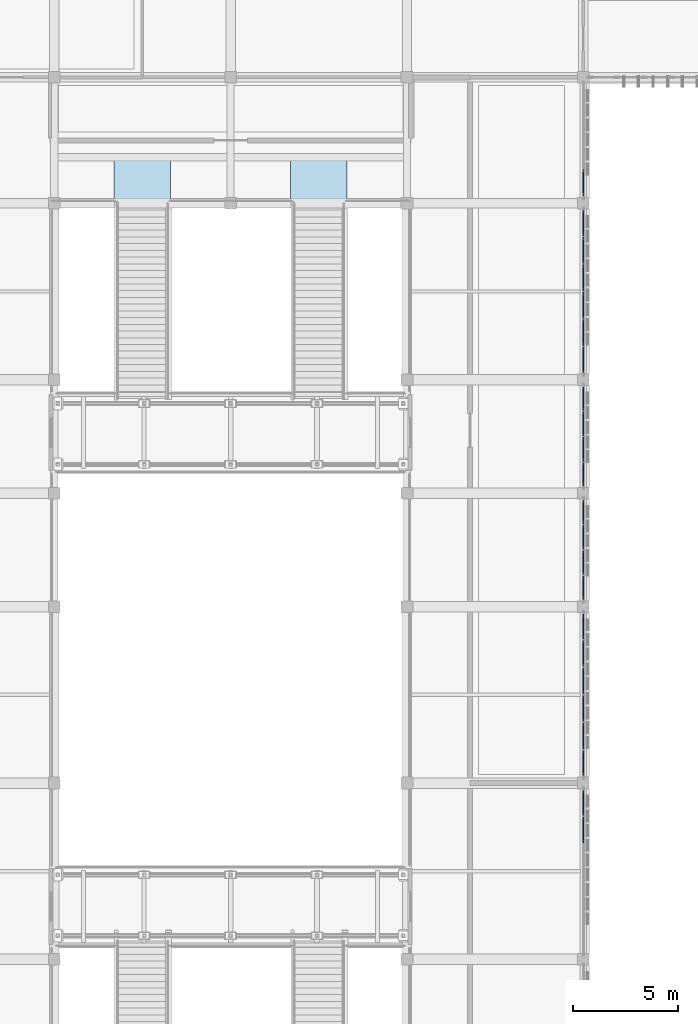
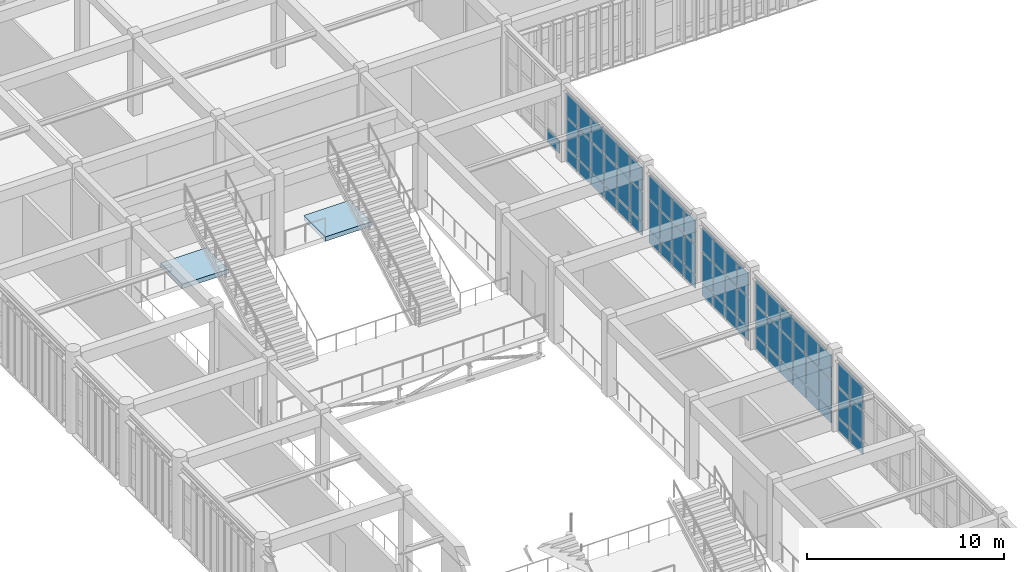
# One storey, part 72 of 106: 67 plates, 2 slabs, 6 elements without a shape of their own.
"""IFC4 building model written with IfcOpenShell, lengths in metres."""

from ifc_helpers import new_model, si_unit, direction, frame, origin, origin_2d, place, context, subcontext, project, spatial, polyline, rectangle, outline, extrude, material, layer, layer_set, type_object, element, aggregate, save


model = new_model("IFC4")

# Units and contexts
model_context = context("Model", 3, precision=1e-05, world=origin(), true_north=direction((0.0, 1.0)))
body_context = subcontext(model_context, "Body", "Model", "MODEL_VIEW")
ifc_project = project(units=[si_unit("LENGTHUNIT", "METRE"), si_unit("AREAUNIT", "SQUARE_METRE"), si_unit("VOLUMEUNIT", "CUBIC_METRE"), si_unit("PLANEANGLEUNIT", "RADIAN"), si_unit("MASSUNIT", "GRAM", prefix="KILO")], contexts=[model_context])

# Site, building, storey
site_placement = place(None, origin())
site = spatial("IfcSite", under=ifc_project, at=site_placement, CompositionType="ELEMENT")
building_placement = place(site_placement, origin())
building = spatial("IfcBuilding", under=site, at=building_placement, Name="Krzemoval Escarpment Law Courts", CompositionType="ELEMENT")
storey_placement = place(building_placement, frame((0.0, 0.0, 5.10009765625)))
storey = spatial("IfcBuildingStorey", under=building, at=storey_placement, Name="L01", CompositionType="ELEMENT", Elevation=5.10009765625)

# Curtain wall, plate
ifc_material_1 = material(Name="Aluminium 6063-T6", Category="aluminium")
ifc_layer_1 = layer(ifc_material_1, 0.280029296875)
ifc_layer_set_1 = layer_set([ifc_layer_1], Name="Aluminium 6063-T6")
curtain_wall_type = type_object("IfcCurtainWallType", Name="CW-HALL-5100", PredefinedType="USERDEFINED", material=ifc_layer_set_1)
curtain_wall_1_placement = place(storey_placement, origin())
curtain_wall_1 = element("IfcCurtainWall", 1, at=curtain_wall_1_placement, inside=storey, type_object=curtain_wall_type, Name="Unitised Curtain Wall FCW-L01-056", ObjectType="UNITISED_CURTAIN_WALL", PredefinedType="USERDEFINED")
ifc_material_2 = material(Name="Triple Glazing IGU", Category="glass")
ifc_layer_2 = layer(ifc_material_2, 0.053955078125)
ifc_layer_set_2 = layer_set([ifc_layer_2], Name="Triple Glazing IGU")
plate_type = type_object("IfcPlateType", Name="CWP-GLZ-54", PredefinedType="CURTAIN_PANEL", material=ifc_layer_set_2)
plate_1_placement = place(storey_placement, frame((42.0, 94.577392578125, 0.0849609375), z_axis=(0.0, 0.0, 1.0), x_axis=(0.0, -1.0, 0.0)))
plate_1 = element("IfcPlate", 2, at=plate_1_placement, type_object=plate_type, Name="FCW-L01-056 panel 4.1", PredefinedType="CURTAIN_PANEL", context=body_context, shape_type="SweptSolid", body=[
    extrude(rectangle(XDim=1.235107421875, YDim=0.053955078125, at=origin_2d()), origin(), (0.0, 0.0, 1.0), 0.7724609375),
])
aggregate(curtain_wall_1, [plate_1])

# Curtain wall, plates
curtain_wall_2_placement = place(storey_placement, origin())
curtain_wall_2 = element("IfcCurtainWall", 3, at=curtain_wall_2_placement, inside=storey, type_object=curtain_wall_type, Name="Unitised Curtain Wall FCW-L01-057", ObjectType="UNITISED_CURTAIN_WALL", PredefinedType="USERDEFINED")
plate_2_placement = place(storey_placement, frame((42.0, 92.649658203125, 0.0849609375), z_axis=(0.0, 0.0, 1.0), x_axis=(0.0, -1.0, 0.0)))
plate_2 = element("IfcPlate", 4, at=plate_2_placement, type_object=plate_type, Name="FCW-L01-057 panel 1.1", PredefinedType="CURTAIN_PANEL", context=body_context, shape_type="SweptSolid", body=[
    extrude(rectangle(XDim=1.180908203125, YDim=0.053955078125, at=origin_2d()), origin(), (0.0, 0.0, 1.0), 0.7724609375),
])
plate_3_placement = place(storey_placement, frame((42.0, 92.649658203125, 0.9423828125), z_axis=(0.0, 0.0, 1.0), x_axis=(0.0, -1.0, 0.0)))
plate_3 = element("IfcPlate", 5, at=plate_3_placement, type_object=plate_type, Name="FCW-L01-057 panel 1.2", PredefinedType="CURTAIN_PANEL", context=body_context, shape_type="SweptSolid", body=[
    extrude(rectangle(XDim=1.180908203125, YDim=0.053955078125, at=origin_2d()), origin(), (0.0, 0.0, 1.0), 1.81494140625),
])
plate_4_placement = place(storey_placement, frame((42.0, 92.649658203125, 2.842529296875), z_axis=(0.0, 0.0, 1.0), x_axis=(0.0, -1.0, 0.0)))
plate_4 = element("IfcPlate", 6, at=plate_4_placement, type_object=plate_type, Name="FCW-L01-057 panel 1.3", PredefinedType="CURTAIN_PANEL", context=body_context, shape_type="SweptSolid", body=[
    extrude(rectangle(XDim=1.180908203125, YDim=0.053955078125, at=origin_2d()), origin(), (0.0, 0.0, 1.0), 1.4423828125),
])
plate_5_placement = place(storey_placement, frame((42.0, 91.362548828125, 0.0849609375), z_axis=(0.0, 0.0, 1.0), x_axis=(0.0, -1.0, 0.0)))
plate_5 = element("IfcPlate", 7, at=plate_5_placement, type_object=plate_type, Name="FCW-L01-057 panel 2.1", PredefinedType="CURTAIN_PANEL", context=body_context, shape_type="SweptSolid", body=[
    extrude(rectangle(XDim=1.223388671875, YDim=0.053955078125, at=origin_2d()), origin(), (0.0, 0.0, 1.0), 0.7724609375),
])
plate_6_placement = place(storey_placement, frame((42.0, 91.362548828125, 0.9423828125), z_axis=(0.0, 0.0, 1.0), x_axis=(0.0, -1.0, 0.0)))
plate_6 = element("IfcPlate", 8, at=plate_6_placement, type_object=plate_type, Name="FCW-L01-057 panel 2.2", PredefinedType="CURTAIN_PANEL", context=body_context, shape_type="SweptSolid", body=[
    extrude(rectangle(XDim=1.223388671875, YDim=0.053955078125, at=origin_2d()), origin(), (0.0, 0.0, 1.0), 1.81494140625),
])
plate_7_placement = place(storey_placement, frame((42.0, 91.362548828125, 2.842529296875), z_axis=(0.0, 0.0, 1.0), x_axis=(0.0, -1.0, 0.0)))
plate_7 = element("IfcPlate", 9, at=plate_7_placement, type_object=plate_type, Name="FCW-L01-057 panel 2.3", PredefinedType="CURTAIN_PANEL", context=body_context, shape_type="SweptSolid", body=[
    extrude(rectangle(XDim=1.223388671875, YDim=0.053955078125, at=origin_2d()), origin(), (0.0, 0.0, 1.0), 1.4423828125),
])
plate_8_placement = place(storey_placement, frame((42.0, 90.05419921875, 0.0849609375), z_axis=(0.0, 0.0, 1.0), x_axis=(0.0, -1.0, 0.0)))
plate_8 = element("IfcPlate", 10, at=plate_8_placement, type_object=plate_type, Name="FCW-L01-057 panel 3.1", PredefinedType="CURTAIN_PANEL", context=body_context, shape_type="SweptSolid", body=[
    extrude(rectangle(XDim=1.223388671875, YDim=0.053955078125, at=origin_2d()), origin(), (0.0, 0.0, 1.0), 0.7724609375),
])
plate_9_placement = place(storey_placement, frame((42.0, 90.05419921875, 0.9423828125), z_axis=(0.0, 0.0, 1.0), x_axis=(0.0, -1.0, 0.0)))
plate_9 = element("IfcPlate", 11, at=plate_9_placement, type_object=plate_type, Name="FCW-L01-057 panel 3.2", PredefinedType="CURTAIN_PANEL", context=body_context, shape_type="SweptSolid", body=[
    extrude(rectangle(XDim=1.223388671875, YDim=0.053955078125, at=origin_2d()), origin(), (0.0, 0.0, 1.0), 1.81494140625),
])
plate_10_placement = place(storey_placement, frame((42.0, 90.05419921875, 2.842529296875), z_axis=(0.0, 0.0, 1.0), x_axis=(0.0, -1.0, 0.0)))
plate_10 = element("IfcPlate", 12, at=plate_10_placement, type_object=plate_type, Name="FCW-L01-057 panel 3.3", PredefinedType="CURTAIN_PANEL", context=body_context, shape_type="SweptSolid", body=[
    extrude(rectangle(XDim=1.223388671875, YDim=0.053955078125, at=origin_2d()), origin(), (0.0, 0.0, 1.0), 1.4423828125),
])
plate_11_placement = place(storey_placement, frame((42.0, 88.745849609375, 0.0849609375), z_axis=(0.0, 0.0, 1.0), x_axis=(0.0, -1.0, 0.0)))
plate_11 = element("IfcPlate", 13, at=plate_11_placement, type_object=plate_type, Name="FCW-L01-057 panel 4.1", PredefinedType="CURTAIN_PANEL", context=body_context, shape_type="SweptSolid", body=[
    extrude(rectangle(XDim=1.223388671875, YDim=0.053955078125, at=origin_2d()), origin(), (0.0, 0.0, 1.0), 0.7724609375),
])
plate_12_placement = place(storey_placement, frame((42.0, 88.745849609375, 0.9423828125), z_axis=(0.0, 0.0, 1.0), x_axis=(0.0, -1.0, 0.0)))
plate_12 = element("IfcPlate", 14, at=plate_12_placement, type_object=plate_type, Name="FCW-L01-057 panel 4.2", PredefinedType="CURTAIN_PANEL", context=body_context, shape_type="SweptSolid", body=[
    extrude(rectangle(XDim=1.223388671875, YDim=0.053955078125, at=origin_2d()), origin(), (0.0, 0.0, 1.0), 1.81494140625),
])
plate_13_placement = place(storey_placement, frame((42.0, 88.745849609375, 2.842529296875), z_axis=(0.0, 0.0, 1.0), x_axis=(0.0, -1.0, 0.0)))
plate_13 = element("IfcPlate", 15, at=plate_13_placement, type_object=plate_type, Name="FCW-L01-057 panel 4.3", PredefinedType="CURTAIN_PANEL", context=body_context, shape_type="SweptSolid", body=[
    extrude(rectangle(XDim=1.223388671875, YDim=0.053955078125, at=origin_2d()), origin(), (0.0, 0.0, 1.0), 1.4423828125),
])
plate_14_placement = place(storey_placement, frame((42.0, 87.4375, 0.0849609375), z_axis=(0.0, 0.0, 1.0), x_axis=(0.0, -1.0, 0.0)))
plate_14 = element("IfcPlate", 16, at=plate_14_placement, type_object=plate_type, Name="FCW-L01-057 panel 5.1", PredefinedType="CURTAIN_PANEL", context=body_context, shape_type="SweptSolid", body=[
    extrude(rectangle(XDim=1.223388671875, YDim=0.053955078125, at=origin_2d()), origin(), (0.0, 0.0, 1.0), 0.7724609375),
])
plate_15_placement = place(storey_placement, frame((42.0, 87.4375, 0.9423828125), z_axis=(0.0, 0.0, 1.0), x_axis=(0.0, -1.0, 0.0)))
plate_15 = element("IfcPlate", 17, at=plate_15_placement, type_object=plate_type, Name="FCW-L01-057 panel 5.2", PredefinedType="CURTAIN_PANEL", context=body_context, shape_type="SweptSolid", body=[
    extrude(rectangle(XDim=1.223388671875, YDim=0.053955078125, at=origin_2d()), origin(), (0.0, 0.0, 1.0), 1.81494140625),
])
plate_16_placement = place(storey_placement, frame((42.0, 87.4375, 2.842529296875), z_axis=(0.0, 0.0, 1.0), x_axis=(0.0, -1.0, 0.0)))
plate_16 = element("IfcPlate", 18, at=plate_16_placement, type_object=plate_type, Name="FCW-L01-057 panel 5.3", PredefinedType="CURTAIN_PANEL", context=body_context, shape_type="SweptSolid", body=[
    extrude(rectangle(XDim=1.223388671875, YDim=0.053955078125, at=origin_2d()), origin(), (0.0, 0.0, 1.0), 1.4423828125),
])
plate_17_placement = place(storey_placement, frame((42.0, 86.150390625, 0.0849609375), z_axis=(0.0, 0.0, 1.0), x_axis=(0.0, -1.0, 0.0)))
plate_17 = element("IfcPlate", 19, at=plate_17_placement, type_object=plate_type, Name="FCW-L01-057 panel 6.1", PredefinedType="CURTAIN_PANEL", context=body_context, shape_type="SweptSolid", body=[
    extrude(rectangle(XDim=1.180908203125, YDim=0.053955078125, at=origin_2d()), origin(), (0.0, 0.0, 1.0), 0.7724609375),
])
plate_18_placement = place(storey_placement, frame((42.0, 86.150390625, 0.9423828125), z_axis=(0.0, 0.0, 1.0), x_axis=(0.0, -1.0, 0.0)))
plate_18 = element("IfcPlate", 20, at=plate_18_placement, type_object=plate_type, Name="FCW-L01-057 panel 6.2", PredefinedType="CURTAIN_PANEL", context=body_context, shape_type="SweptSolid", body=[
    extrude(rectangle(XDim=1.180908203125, YDim=0.053955078125, at=origin_2d()), origin(), (0.0, 0.0, 1.0), 1.81494140625),
])
plate_19_placement = place(storey_placement, frame((42.0, 86.150390625, 2.842529296875), z_axis=(0.0, 0.0, 1.0), x_axis=(0.0, -1.0, 0.0)))
plate_19 = element("IfcPlate", 21, at=plate_19_placement, type_object=plate_type, Name="FCW-L01-057 panel 6.3", PredefinedType="CURTAIN_PANEL", context=body_context, shape_type="SweptSolid", body=[
    extrude(rectangle(XDim=1.180908203125, YDim=0.053955078125, at=origin_2d()), origin(), (0.0, 0.0, 1.0), 1.4423828125),
])
aggregate(curtain_wall_2, [plate_2, plate_3, plate_4, plate_5, plate_6, plate_7, plate_8, plate_9, plate_10, plate_11, plate_12, plate_13, plate_14, plate_15, plate_16, plate_17, plate_18, plate_19])

curtain_wall_3_placement = place(storey_placement, origin())
curtain_wall_3 = element("IfcCurtainWall", 22, at=curtain_wall_3_placement, inside=storey, type_object=curtain_wall_type, Name="Unitised Curtain Wall FCW-L01-058", ObjectType="UNITISED_CURTAIN_WALL", PredefinedType="USERDEFINED")
plate_20_placement = place(storey_placement, frame((42.0, 84.297607421875, 0.0849609375), z_axis=(0.0, 0.0, 1.0), x_axis=(0.0, -1.0, 0.0)))
plate_20 = element("IfcPlate", 23, at=plate_20_placement, type_object=plate_type, Name="FCW-L01-058 panel 1.1", PredefinedType="CURTAIN_PANEL", context=body_context, shape_type="SweptSolid", body=[
    extrude(rectangle(XDim=1.0849609375, YDim=0.053955078125, at=origin_2d()), origin(), (0.0, 0.0, 1.0), 0.7724609375),
])
plate_21_placement = place(storey_placement, frame((42.0, 84.297607421875, 0.9423828125), z_axis=(0.0, 0.0, 1.0), x_axis=(0.0, -1.0, 0.0)))
plate_21 = element("IfcPlate", 24, at=plate_21_placement, type_object=plate_type, Name="FCW-L01-058 panel 1.2", PredefinedType="CURTAIN_PANEL", context=body_context, shape_type="SweptSolid", body=[
    extrude(rectangle(XDim=1.0849609375, YDim=0.053955078125, at=origin_2d()), origin(), (0.0, 0.0, 1.0), 1.81494140625),
])
plate_22_placement = place(storey_placement, frame((42.0, 84.297607421875, 2.842529296875), z_axis=(0.0, 0.0, 1.0), x_axis=(0.0, -1.0, 0.0)))
plate_22 = element("IfcPlate", 25, at=plate_22_placement, type_object=plate_type, Name="FCW-L01-058 panel 1.3", PredefinedType="CURTAIN_PANEL", context=body_context, shape_type="SweptSolid", body=[
    extrude(rectangle(XDim=1.0849609375, YDim=0.053955078125, at=origin_2d()), origin(), (0.0, 0.0, 1.0), 1.4423828125),
])
plate_23_placement = place(storey_placement, frame((42.0, 83.106201171875, 0.0849609375), z_axis=(0.0, 0.0, 1.0), x_axis=(0.0, -1.0, 0.0)))
plate_23 = element("IfcPlate", 26, at=plate_23_placement, type_object=plate_type, Name="FCW-L01-058 panel 2.1", PredefinedType="CURTAIN_PANEL", context=body_context, shape_type="SweptSolid", body=[
    extrude(rectangle(XDim=1.12744140625, YDim=0.053955078125, at=origin_2d()), origin(), (0.0, 0.0, 1.0), 0.7724609375),
])
plate_24_placement = place(storey_placement, frame((42.0, 83.106201171875, 0.9423828125), z_axis=(0.0, 0.0, 1.0), x_axis=(0.0, -1.0, 0.0)))
plate_24 = element("IfcPlate", 27, at=plate_24_placement, type_object=plate_type, Name="FCW-L01-058 panel 2.2", PredefinedType="CURTAIN_PANEL", context=body_context, shape_type="SweptSolid", body=[
    extrude(rectangle(XDim=1.12744140625, YDim=0.053955078125, at=origin_2d()), origin(), (0.0, 0.0, 1.0), 1.81494140625),
])
plate_25_placement = place(storey_placement, frame((42.0, 83.106201171875, 2.842529296875), z_axis=(0.0, 0.0, 1.0), x_axis=(0.0, -1.0, 0.0)))
plate_25 = element("IfcPlate", 28, at=plate_25_placement, type_object=plate_type, Name="FCW-L01-058 panel 2.3", PredefinedType="CURTAIN_PANEL", context=body_context, shape_type="SweptSolid", body=[
    extrude(rectangle(XDim=1.12744140625, YDim=0.053955078125, at=origin_2d()), origin(), (0.0, 0.0, 1.0), 1.4423828125),
])
plate_26_placement = place(storey_placement, frame((42.0, 81.893798828125, 0.0849609375), z_axis=(0.0, 0.0, 1.0), x_axis=(0.0, -1.0, 0.0)))
plate_26 = element("IfcPlate", 29, at=plate_26_placement, type_object=plate_type, Name="FCW-L01-058 panel 3.1", PredefinedType="CURTAIN_PANEL", context=body_context, shape_type="SweptSolid", body=[
    extrude(rectangle(XDim=1.12744140625, YDim=0.053955078125, at=origin_2d()), origin(), (0.0, 0.0, 1.0), 0.7724609375),
])
plate_27_placement = place(storey_placement, frame((42.0, 81.893798828125, 0.9423828125), z_axis=(0.0, 0.0, 1.0), x_axis=(0.0, -1.0, 0.0)))
plate_27 = element("IfcPlate", 30, at=plate_27_placement, type_object=plate_type, Name="FCW-L01-058 panel 3.2", PredefinedType="CURTAIN_PANEL", context=body_context, shape_type="SweptSolid", body=[
    extrude(rectangle(XDim=1.12744140625, YDim=0.053955078125, at=origin_2d()), origin(), (0.0, 0.0, 1.0), 1.81494140625),
])
plate_28_placement = place(storey_placement, frame((42.0, 81.893798828125, 2.842529296875), z_axis=(0.0, 0.0, 1.0), x_axis=(0.0, -1.0, 0.0)))
plate_28 = element("IfcPlate", 31, at=plate_28_placement, type_object=plate_type, Name="FCW-L01-058 panel 3.3", PredefinedType="CURTAIN_PANEL", context=body_context, shape_type="SweptSolid", body=[
    extrude(rectangle(XDim=1.12744140625, YDim=0.053955078125, at=origin_2d()), origin(), (0.0, 0.0, 1.0), 1.4423828125),
])
plate_29_placement = place(storey_placement, frame((42.0, 80.702392578125, 0.0849609375), z_axis=(0.0, 0.0, 1.0), x_axis=(0.0, -1.0, 0.0)))
plate_29 = element("IfcPlate", 32, at=plate_29_placement, type_object=plate_type, Name="FCW-L01-058 panel 4.1", PredefinedType="CURTAIN_PANEL", context=body_context, shape_type="SweptSolid", body=[
    extrude(rectangle(XDim=1.0849609375, YDim=0.053955078125, at=origin_2d()), origin(), (0.0, 0.0, 1.0), 0.7724609375),
])
plate_30_placement = place(storey_placement, frame((42.0, 80.702392578125, 0.9423828125), z_axis=(0.0, 0.0, 1.0), x_axis=(0.0, -1.0, 0.0)))
plate_30 = element("IfcPlate", 33, at=plate_30_placement, type_object=plate_type, Name="FCW-L01-058 panel 4.2", PredefinedType="CURTAIN_PANEL", context=body_context, shape_type="SweptSolid", body=[
    extrude(rectangle(XDim=1.0849609375, YDim=0.053955078125, at=origin_2d()), origin(), (0.0, 0.0, 1.0), 1.81494140625),
])
plate_31_placement = place(storey_placement, frame((42.0, 80.702392578125, 2.842529296875), z_axis=(0.0, 0.0, 1.0), x_axis=(0.0, -1.0, 0.0)))
plate_31 = element("IfcPlate", 34, at=plate_31_placement, type_object=plate_type, Name="FCW-L01-058 panel 4.3", PredefinedType="CURTAIN_PANEL", context=body_context, shape_type="SweptSolid", body=[
    extrude(rectangle(XDim=1.0849609375, YDim=0.053955078125, at=origin_2d()), origin(), (0.0, 0.0, 1.0), 1.4423828125),
])
aggregate(curtain_wall_3, [plate_20, plate_21, plate_22, plate_23, plate_24, plate_25, plate_26, plate_27, plate_28, plate_29, plate_30, plate_31])

curtain_wall_4_placement = place(storey_placement, origin())
curtain_wall_4 = element("IfcCurtainWall", 35, at=curtain_wall_4_placement, inside=storey, type_object=curtain_wall_type, Name="Unitised Curtain Wall FCW-L01-059", ObjectType="UNITISED_CURTAIN_WALL", PredefinedType="USERDEFINED")
plate_32_placement = place(storey_placement, frame((42.0, 78.8974609375, 0.0849609375), z_axis=(0.0, 0.0, 1.0), x_axis=(0.0, -1.0, 0.0)))
plate_32 = element("IfcPlate", 36, at=plate_32_placement, type_object=plate_type, Name="FCW-L01-059 panel 1.1", PredefinedType="CURTAIN_PANEL", context=body_context, shape_type="SweptSolid", body=[
    extrude(rectangle(XDim=1.0849609375, YDim=0.053955078125, at=origin_2d()), origin(), (0.0, 0.0, 1.0), 0.7724609375),
])
plate_33_placement = place(storey_placement, frame((42.0, 78.8974609375, 0.9423828125), z_axis=(0.0, 0.0, 1.0), x_axis=(0.0, -1.0, 0.0)))
plate_33 = element("IfcPlate", 37, at=plate_33_placement, type_object=plate_type, Name="FCW-L01-059 panel 1.2", PredefinedType="CURTAIN_PANEL", context=body_context, shape_type="SweptSolid", body=[
    extrude(rectangle(XDim=1.0849609375, YDim=0.053955078125, at=origin_2d()), origin(), (0.0, 0.0, 1.0), 1.81494140625),
])
plate_34_placement = place(storey_placement, frame((42.0, 78.8974609375, 2.842529296875), z_axis=(0.0, 0.0, 1.0), x_axis=(0.0, -1.0, 0.0)))
plate_34 = element("IfcPlate", 38, at=plate_34_placement, type_object=plate_type, Name="FCW-L01-059 panel 1.3", PredefinedType="CURTAIN_PANEL", context=body_context, shape_type="SweptSolid", body=[
    extrude(rectangle(XDim=1.0849609375, YDim=0.053955078125, at=origin_2d()), origin(), (0.0, 0.0, 1.0), 1.4423828125),
])
plate_35_placement = place(storey_placement, frame((42.0, 77.706298828125, 0.0849609375), z_axis=(0.0, 0.0, 1.0), x_axis=(0.0, -1.0, 0.0)))
plate_35 = element("IfcPlate", 39, at=plate_35_placement, type_object=plate_type, Name="FCW-L01-059 panel 2.1", PredefinedType="CURTAIN_PANEL", context=body_context, shape_type="SweptSolid", body=[
    extrude(rectangle(XDim=1.12744140625, YDim=0.053955078125, at=origin_2d()), origin(), (0.0, 0.0, 1.0), 0.7724609375),
])
plate_36_placement = place(storey_placement, frame((42.0, 77.706298828125, 0.9423828125), z_axis=(0.0, 0.0, 1.0), x_axis=(0.0, -1.0, 0.0)))
plate_36 = element("IfcPlate", 40, at=plate_36_placement, type_object=plate_type, Name="FCW-L01-059 panel 2.2", PredefinedType="CURTAIN_PANEL", context=body_context, shape_type="SweptSolid", body=[
    extrude(rectangle(XDim=1.12744140625, YDim=0.053955078125, at=origin_2d()), origin(), (0.0, 0.0, 1.0), 1.81494140625),
])
plate_37_placement = place(storey_placement, frame((42.0, 77.706298828125, 2.842529296875), z_axis=(0.0, 0.0, 1.0), x_axis=(0.0, -1.0, 0.0)))
plate_37 = element("IfcPlate", 41, at=plate_37_placement, type_object=plate_type, Name="FCW-L01-059 panel 2.3", PredefinedType="CURTAIN_PANEL", context=body_context, shape_type="SweptSolid", body=[
    extrude(rectangle(XDim=1.12744140625, YDim=0.053955078125, at=origin_2d()), origin(), (0.0, 0.0, 1.0), 1.4423828125),
])
plate_38_placement = place(storey_placement, frame((42.0, 76.49365234375, 0.0849609375), z_axis=(0.0, 0.0, 1.0), x_axis=(0.0, -1.0, 0.0)))
plate_38 = element("IfcPlate", 42, at=plate_38_placement, type_object=plate_type, Name="FCW-L01-059 panel 3.1", PredefinedType="CURTAIN_PANEL", context=body_context, shape_type="SweptSolid", body=[
    extrude(rectangle(XDim=1.12744140625, YDim=0.053955078125, at=origin_2d()), origin(), (0.0, 0.0, 1.0), 0.7724609375),
])
plate_39_placement = place(storey_placement, frame((42.0, 76.49365234375, 0.9423828125), z_axis=(0.0, 0.0, 1.0), x_axis=(0.0, -1.0, 0.0)))
plate_39 = element("IfcPlate", 43, at=plate_39_placement, type_object=plate_type, Name="FCW-L01-059 panel 3.2", PredefinedType="CURTAIN_PANEL", context=body_context, shape_type="SweptSolid", body=[
    extrude(rectangle(XDim=1.12744140625, YDim=0.053955078125, at=origin_2d()), origin(), (0.0, 0.0, 1.0), 1.81494140625),
])
plate_40_placement = place(storey_placement, frame((42.0, 76.49365234375, 2.842529296875), z_axis=(0.0, 0.0, 1.0), x_axis=(0.0, -1.0, 0.0)))
plate_40 = element("IfcPlate", 44, at=plate_40_placement, type_object=plate_type, Name="FCW-L01-059 panel 3.3", PredefinedType="CURTAIN_PANEL", context=body_context, shape_type="SweptSolid", body=[
    extrude(rectangle(XDim=1.12744140625, YDim=0.053955078125, at=origin_2d()), origin(), (0.0, 0.0, 1.0), 1.4423828125),
])
plate_41_placement = place(storey_placement, frame((42.0, 75.302490234375, 0.0849609375), z_axis=(0.0, 0.0, 1.0), x_axis=(0.0, -1.0, 0.0)))
plate_41 = element("IfcPlate", 45, at=plate_41_placement, type_object=plate_type, Name="FCW-L01-059 panel 4.1", PredefinedType="CURTAIN_PANEL", context=body_context, shape_type="SweptSolid", body=[
    extrude(rectangle(XDim=1.0849609375, YDim=0.053955078125, at=origin_2d()), origin(), (0.0, 0.0, 1.0), 0.7724609375),
])
plate_42_placement = place(storey_placement, frame((42.0, 75.302490234375, 0.9423828125), z_axis=(0.0, 0.0, 1.0), x_axis=(0.0, -1.0, 0.0)))
plate_42 = element("IfcPlate", 46, at=plate_42_placement, type_object=plate_type, Name="FCW-L01-059 panel 4.2", PredefinedType="CURTAIN_PANEL", context=body_context, shape_type="SweptSolid", body=[
    extrude(rectangle(XDim=1.0849609375, YDim=0.053955078125, at=origin_2d()), origin(), (0.0, 0.0, 1.0), 1.81494140625),
])
plate_43_placement = place(storey_placement, frame((42.0, 75.302490234375, 2.842529296875), z_axis=(0.0, 0.0, 1.0), x_axis=(0.0, -1.0, 0.0)))
plate_43 = element("IfcPlate", 47, at=plate_43_placement, type_object=plate_type, Name="FCW-L01-059 panel 4.3", PredefinedType="CURTAIN_PANEL", context=body_context, shape_type="SweptSolid", body=[
    extrude(rectangle(XDim=1.0849609375, YDim=0.053955078125, at=origin_2d()), origin(), (0.0, 0.0, 1.0), 1.4423828125),
])
aggregate(curtain_wall_4, [plate_32, plate_33, plate_34, plate_35, plate_36, plate_37, plate_38, plate_39, plate_40, plate_41, plate_42, plate_43])

curtain_wall_5_placement = place(storey_placement, origin())
curtain_wall_5 = element("IfcCurtainWall", 48, at=curtain_wall_5_placement, inside=storey, type_object=curtain_wall_type, Name="Unitised Curtain Wall FCW-L01-060", ObjectType="UNITISED_CURTAIN_WALL", PredefinedType="USERDEFINED")
plate_44_placement = place(storey_placement, frame((42.0, 73.449462890625, 0.0849609375), z_axis=(0.0, 0.0, 1.0), x_axis=(0.0, -1.0, 0.0)))
plate_44 = element("IfcPlate", 49, at=plate_44_placement, type_object=plate_type, Name="FCW-L01-060 panel 1.1", PredefinedType="CURTAIN_PANEL", context=body_context, shape_type="SweptSolid", body=[
    extrude(rectangle(XDim=1.180908203125, YDim=0.053955078125, at=origin_2d()), origin(), (0.0, 0.0, 1.0), 0.7724609375),
])
plate_45_placement = place(storey_placement, frame((42.0, 73.449462890625, 0.9423828125), z_axis=(0.0, 0.0, 1.0), x_axis=(0.0, -1.0, 0.0)))
plate_45 = element("IfcPlate", 50, at=plate_45_placement, type_object=plate_type, Name="FCW-L01-060 panel 1.2", PredefinedType="CURTAIN_PANEL", context=body_context, shape_type="SweptSolid", body=[
    extrude(rectangle(XDim=1.180908203125, YDim=0.053955078125, at=origin_2d()), origin(), (0.0, 0.0, 1.0), 1.81494140625),
])
plate_46_placement = place(storey_placement, frame((42.0, 73.449462890625, 2.842529296875), z_axis=(0.0, 0.0, 1.0), x_axis=(0.0, -1.0, 0.0)))
plate_46 = element("IfcPlate", 51, at=plate_46_placement, type_object=plate_type, Name="FCW-L01-060 panel 1.3", PredefinedType="CURTAIN_PANEL", context=body_context, shape_type="SweptSolid", body=[
    extrude(rectangle(XDim=1.180908203125, YDim=0.053955078125, at=origin_2d()), origin(), (0.0, 0.0, 1.0), 1.4423828125),
])
plate_47_placement = place(storey_placement, frame((42.0, 72.16259765625, 0.0849609375), z_axis=(0.0, 0.0, 1.0), x_axis=(0.0, -1.0, 0.0)))
plate_47 = element("IfcPlate", 52, at=plate_47_placement, type_object=plate_type, Name="FCW-L01-060 panel 2.1", PredefinedType="CURTAIN_PANEL", context=body_context, shape_type="SweptSolid", body=[
    extrude(rectangle(XDim=1.223388671875, YDim=0.053955078125, at=origin_2d()), origin(), (0.0, 0.0, 1.0), 0.7724609375),
])
plate_48_placement = place(storey_placement, frame((42.0, 72.16259765625, 0.9423828125), z_axis=(0.0, 0.0, 1.0), x_axis=(0.0, -1.0, 0.0)))
plate_48 = element("IfcPlate", 53, at=plate_48_placement, type_object=plate_type, Name="FCW-L01-060 panel 2.2", PredefinedType="CURTAIN_PANEL", context=body_context, shape_type="SweptSolid", body=[
    extrude(rectangle(XDim=1.223388671875, YDim=0.053955078125, at=origin_2d()), origin(), (0.0, 0.0, 1.0), 1.81494140625),
])
plate_49_placement = place(storey_placement, frame((42.0, 72.16259765625, 2.842529296875), z_axis=(0.0, 0.0, 1.0), x_axis=(0.0, -1.0, 0.0)))
plate_49 = element("IfcPlate", 54, at=plate_49_placement, type_object=plate_type, Name="FCW-L01-060 panel 2.3", PredefinedType="CURTAIN_PANEL", context=body_context, shape_type="SweptSolid", body=[
    extrude(rectangle(XDim=1.223388671875, YDim=0.053955078125, at=origin_2d()), origin(), (0.0, 0.0, 1.0), 1.4423828125),
])
plate_50_placement = place(storey_placement, frame((42.0, 70.854248046875, 0.0849609375), z_axis=(0.0, 0.0, 1.0), x_axis=(0.0, -1.0, 0.0)))
plate_50 = element("IfcPlate", 55, at=plate_50_placement, type_object=plate_type, Name="FCW-L01-060 panel 3.1", PredefinedType="CURTAIN_PANEL", context=body_context, shape_type="SweptSolid", body=[
    extrude(rectangle(XDim=1.223388671875, YDim=0.053955078125, at=origin_2d()), origin(), (0.0, 0.0, 1.0), 0.7724609375),
])
plate_51_placement = place(storey_placement, frame((42.0, 70.854248046875, 0.9423828125), z_axis=(0.0, 0.0, 1.0), x_axis=(0.0, -1.0, 0.0)))
plate_51 = element("IfcPlate", 56, at=plate_51_placement, type_object=plate_type, Name="FCW-L01-060 panel 3.2", PredefinedType="CURTAIN_PANEL", context=body_context, shape_type="SweptSolid", body=[
    extrude(rectangle(XDim=1.223388671875, YDim=0.053955078125, at=origin_2d()), origin(), (0.0, 0.0, 1.0), 1.81494140625),
])
plate_52_placement = place(storey_placement, frame((42.0, 70.854248046875, 2.842529296875), z_axis=(0.0, 0.0, 1.0), x_axis=(0.0, -1.0, 0.0)))
plate_52 = element("IfcPlate", 57, at=plate_52_placement, type_object=plate_type, Name="FCW-L01-060 panel 3.3", PredefinedType="CURTAIN_PANEL", context=body_context, shape_type="SweptSolid", body=[
    extrude(rectangle(XDim=1.223388671875, YDim=0.053955078125, at=origin_2d()), origin(), (0.0, 0.0, 1.0), 1.4423828125),
])
plate_53_placement = place(storey_placement, frame((42.0, 69.5458984375, 0.0849609375), z_axis=(0.0, 0.0, 1.0), x_axis=(0.0, -1.0, 0.0)))
plate_53 = element("IfcPlate", 58, at=plate_53_placement, type_object=plate_type, Name="FCW-L01-060 panel 4.1", PredefinedType="CURTAIN_PANEL", context=body_context, shape_type="SweptSolid", body=[
    extrude(rectangle(XDim=1.223388671875, YDim=0.053955078125, at=origin_2d()), origin(), (0.0, 0.0, 1.0), 0.7724609375),
])
plate_54_placement = place(storey_placement, frame((42.0, 69.5458984375, 0.9423828125), z_axis=(0.0, 0.0, 1.0), x_axis=(0.0, -1.0, 0.0)))
plate_54 = element("IfcPlate", 59, at=plate_54_placement, type_object=plate_type, Name="FCW-L01-060 panel 4.2", PredefinedType="CURTAIN_PANEL", context=body_context, shape_type="SweptSolid", body=[
    extrude(rectangle(XDim=1.223388671875, YDim=0.053955078125, at=origin_2d()), origin(), (0.0, 0.0, 1.0), 1.81494140625),
])
plate_55_placement = place(storey_placement, frame((42.0, 69.5458984375, 2.842529296875), z_axis=(0.0, 0.0, 1.0), x_axis=(0.0, -1.0, 0.0)))
plate_55 = element("IfcPlate", 60, at=plate_55_placement, type_object=plate_type, Name="FCW-L01-060 panel 4.3", PredefinedType="CURTAIN_PANEL", context=body_context, shape_type="SweptSolid", body=[
    extrude(rectangle(XDim=1.223388671875, YDim=0.053955078125, at=origin_2d()), origin(), (0.0, 0.0, 1.0), 1.4423828125),
])
plate_56_placement = place(storey_placement, frame((42.0, 68.237548828125, 0.0849609375), z_axis=(0.0, 0.0, 1.0), x_axis=(0.0, -1.0, 0.0)))
plate_56 = element("IfcPlate", 61, at=plate_56_placement, type_object=plate_type, Name="FCW-L01-060 panel 5.1", PredefinedType="CURTAIN_PANEL", context=body_context, shape_type="SweptSolid", body=[
    extrude(rectangle(XDim=1.223388671875, YDim=0.053955078125, at=origin_2d()), origin(), (0.0, 0.0, 1.0), 0.7724609375),
])
plate_57_placement = place(storey_placement, frame((42.0, 68.237548828125, 0.9423828125), z_axis=(0.0, 0.0, 1.0), x_axis=(0.0, -1.0, 0.0)))
plate_57 = element("IfcPlate", 62, at=plate_57_placement, type_object=plate_type, Name="FCW-L01-060 panel 5.2", PredefinedType="CURTAIN_PANEL", context=body_context, shape_type="SweptSolid", body=[
    extrude(rectangle(XDim=1.223388671875, YDim=0.053955078125, at=origin_2d()), origin(), (0.0, 0.0, 1.0), 1.81494140625),
])
plate_58_placement = place(storey_placement, frame((42.0, 68.237548828125, 2.842529296875), z_axis=(0.0, 0.0, 1.0), x_axis=(0.0, -1.0, 0.0)))
plate_58 = element("IfcPlate", 63, at=plate_58_placement, type_object=plate_type, Name="FCW-L01-060 panel 5.3", PredefinedType="CURTAIN_PANEL", context=body_context, shape_type="SweptSolid", body=[
    extrude(rectangle(XDim=1.223388671875, YDim=0.053955078125, at=origin_2d()), origin(), (0.0, 0.0, 1.0), 1.4423828125),
])
plate_59_placement = place(storey_placement, frame((42.0, 66.950439453125, 0.0849609375), z_axis=(0.0, 0.0, 1.0), x_axis=(0.0, -1.0, 0.0)))
plate_59 = element("IfcPlate", 64, at=plate_59_placement, type_object=plate_type, Name="FCW-L01-060 panel 6.1", PredefinedType="CURTAIN_PANEL", context=body_context, shape_type="SweptSolid", body=[
    extrude(rectangle(XDim=1.180908203125, YDim=0.053955078125, at=origin_2d()), origin(), (0.0, 0.0, 1.0), 0.7724609375),
])
plate_60_placement = place(storey_placement, frame((42.0, 66.950439453125, 0.9423828125), z_axis=(0.0, 0.0, 1.0), x_axis=(0.0, -1.0, 0.0)))
plate_60 = element("IfcPlate", 65, at=plate_60_placement, type_object=plate_type, Name="FCW-L01-060 panel 6.2", PredefinedType="CURTAIN_PANEL", context=body_context, shape_type="SweptSolid", body=[
    extrude(rectangle(XDim=1.180908203125, YDim=0.053955078125, at=origin_2d()), origin(), (0.0, 0.0, 1.0), 1.81494140625),
])
plate_61_placement = place(storey_placement, frame((42.0, 66.950439453125, 2.842529296875), z_axis=(0.0, 0.0, 1.0), x_axis=(0.0, -1.0, 0.0)))
plate_61 = element("IfcPlate", 66, at=plate_61_placement, type_object=plate_type, Name="FCW-L01-060 panel 6.3", PredefinedType="CURTAIN_PANEL", context=body_context, shape_type="SweptSolid", body=[
    extrude(rectangle(XDim=1.180908203125, YDim=0.053955078125, at=origin_2d()), origin(), (0.0, 0.0, 1.0), 1.4423828125),
])
aggregate(curtain_wall_5, [plate_44, plate_45, plate_46, plate_47, plate_48, plate_49, plate_50, plate_51, plate_52, plate_53, plate_54, plate_55, plate_56, plate_57, plate_58, plate_59, plate_60, plate_61])

curtain_wall_6_placement = place(storey_placement, origin())
curtain_wall_6 = element("IfcCurtainWall", 67, at=curtain_wall_6_placement, inside=storey, type_object=curtain_wall_type, Name="Unitised Curtain Wall FCW-L01-061", ObjectType="UNITISED_CURTAIN_WALL", PredefinedType="USERDEFINED")
plate_62_placement = place(storey_placement, frame((42.0, 65.049560546875, 0.0849609375), z_axis=(0.0, 0.0, 1.0), x_axis=(0.0, -1.0, 0.0)))
plate_62 = element("IfcPlate", 68, at=plate_62_placement, type_object=plate_type, Name="FCW-L01-061 panel 1.1", PredefinedType="CURTAIN_PANEL", context=body_context, shape_type="SweptSolid", body=[
    extrude(rectangle(XDim=1.180908203125, YDim=0.053955078125, at=origin_2d()), origin(), (0.0, 0.0, 1.0), 0.7724609375),
])
plate_63_placement = place(storey_placement, frame((42.0, 65.049560546875, 0.9423828125), z_axis=(0.0, 0.0, 1.0), x_axis=(0.0, -1.0, 0.0)))
plate_63 = element("IfcPlate", 69, at=plate_63_placement, type_object=plate_type, Name="FCW-L01-061 panel 1.2", PredefinedType="CURTAIN_PANEL", context=body_context, shape_type="SweptSolid", body=[
    extrude(rectangle(XDim=1.180908203125, YDim=0.053955078125, at=origin_2d()), origin(), (0.0, 0.0, 1.0), 1.81494140625),
])
plate_64_placement = place(storey_placement, frame((42.0, 65.049560546875, 2.842529296875), z_axis=(0.0, 0.0, 1.0), x_axis=(0.0, -1.0, 0.0)))
plate_64 = element("IfcPlate", 70, at=plate_64_placement, type_object=plate_type, Name="FCW-L01-061 panel 1.3", PredefinedType="CURTAIN_PANEL", context=body_context, shape_type="SweptSolid", body=[
    extrude(rectangle(XDim=1.180908203125, YDim=0.053955078125, at=origin_2d()), origin(), (0.0, 0.0, 1.0), 1.4423828125),
])
plate_65_placement = place(storey_placement, frame((42.0, 63.762451171875, 0.0849609375), z_axis=(0.0, 0.0, 1.0), x_axis=(0.0, -1.0, 0.0)))
plate_65 = element("IfcPlate", 71, at=plate_65_placement, type_object=plate_type, Name="FCW-L01-061 panel 2.1", PredefinedType="CURTAIN_PANEL", context=body_context, shape_type="SweptSolid", body=[
    extrude(rectangle(XDim=1.223388671875, YDim=0.053955078125, at=origin_2d()), origin(), (0.0, 0.0, 1.0), 0.7724609375),
])
plate_66_placement = place(storey_placement, frame((42.0, 63.762451171875, 0.9423828125), z_axis=(0.0, 0.0, 1.0), x_axis=(0.0, -1.0, 0.0)))
plate_66 = element("IfcPlate", 72, at=plate_66_placement, type_object=plate_type, Name="FCW-L01-061 panel 2.2", PredefinedType="CURTAIN_PANEL", context=body_context, shape_type="SweptSolid", body=[
    extrude(rectangle(XDim=1.223388671875, YDim=0.053955078125, at=origin_2d()), origin(), (0.0, 0.0, 1.0), 1.81494140625),
])
plate_67_placement = place(storey_placement, frame((42.0, 63.762451171875, 2.842529296875), z_axis=(0.0, 0.0, 1.0), x_axis=(0.0, -1.0, 0.0)))
plate_67 = element("IfcPlate", 73, at=plate_67_placement, type_object=plate_type, Name="FCW-L01-061 panel 2.3", PredefinedType="CURTAIN_PANEL", context=body_context, shape_type="SweptSolid", body=[
    extrude(rectangle(XDim=1.223388671875, YDim=0.053955078125, at=origin_2d()), origin(), (0.0, 0.0, 1.0), 1.4423828125),
])
aggregate(curtain_wall_6, [plate_62, plate_63, plate_64, plate_65, plate_66, plate_67])

# Slabs
ifc_material_3 = material(Name="Concrete C50/60", Category="concrete")
ifc_layer_3 = layer(ifc_material_3, 0.280029296875)
ifc_layer_set_3 = layer_set([ifc_layer_3], Name="Concrete C50/60")
slab_type = type_object("IfcSlabType", Name="SL-PT-280", PredefinedType="FLOOR", material=ifc_layer_set_3)
slab_1_placement = place(storey_placement, frame((0.0, 0.0, -0.280029296875)))
element("IfcSlab", 74, at=slab_1_placement, inside=storey, type_object=slab_type, Name="Atrium North Stair Threshold Slab SL-ST10-L01-FL", PredefinedType="FLOOR", context=body_context, shape_type="SweptSolid", body=[
    extrude(outline(polyline([(22.35009765625, 93.60009765625), (22.35009765625, 95.800048828125), (19.64990234375, 95.800048828125), (19.64990234375, 93.60009765625), (22.35009765625, 93.60009765625)])), origin(), (0.0, 0.0, 1.0), 0.280029296875),
])
slab_2_placement = place(storey_placement, frame((0.0, 0.0, -0.280029296875)))
element("IfcSlab", 75, at=slab_2_placement, inside=storey, type_object=slab_type, Name="Atrium North Stair Threshold Slab SL-ST11-L01-FL", PredefinedType="FLOOR", context=body_context, shape_type="SweptSolid", body=[
    extrude(outline(polyline([(30.75, 93.60009765625), (30.75, 95.800048828125), (28.050048828125, 95.800048828125), (28.050048828125, 93.60009765625), (30.75, 93.60009765625)])), origin(), (0.0, 0.0, 1.0), 0.280029296875),
])

save(model, "model.ifc")
